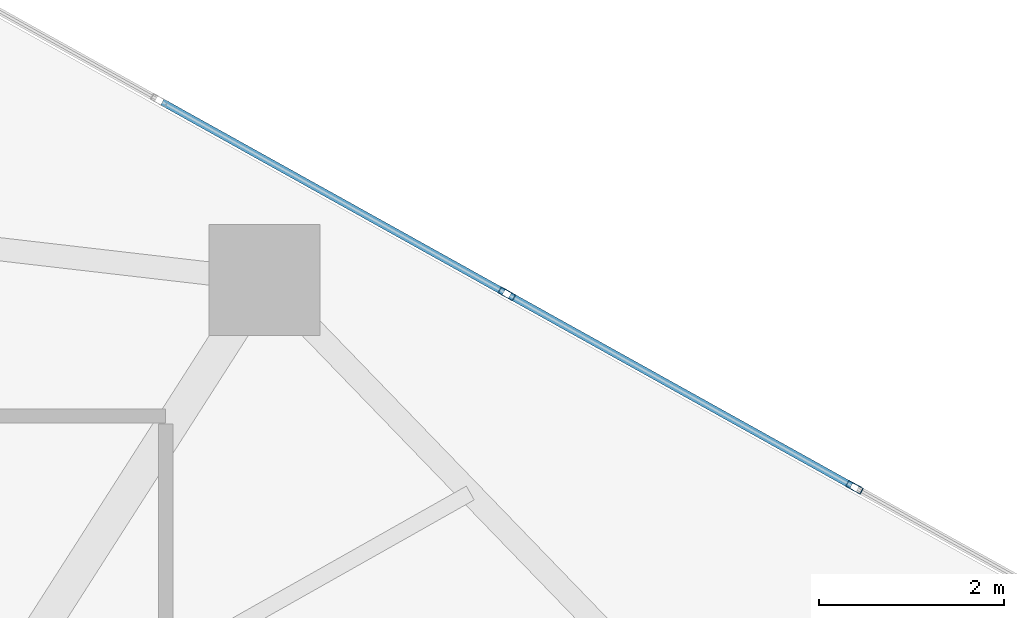
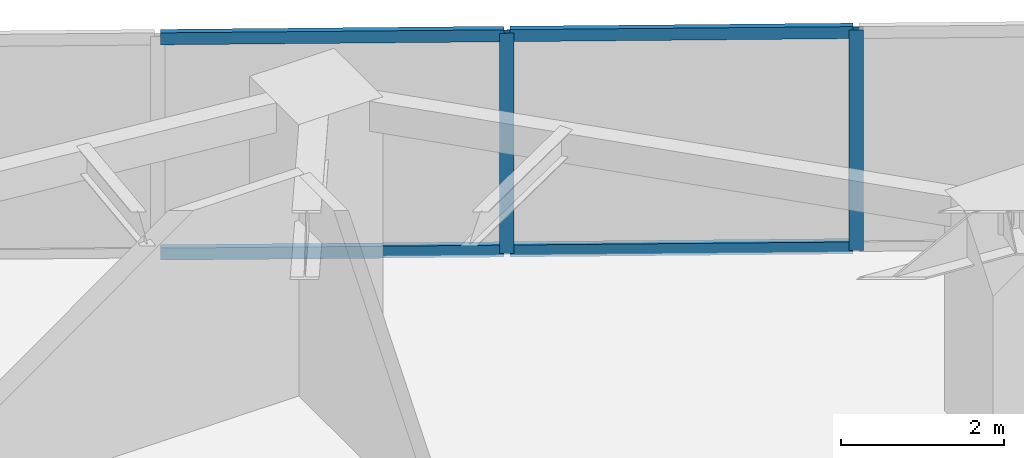
# One storey, part 14 of 21: 6 members, 1 element without a shape of its own.
"""IFC4 building model written with IfcOpenShell, lengths in metres."""

import ifcopenshell
import ifcopenshell.guid

model = None  # the IFC model being written
_history = None  # IfcOwnerHistory: only IFC2X3 demands one
_inside = {}  # id of a spatial element -> (the spatial element, [elements in it])
_under = {}  # id of a project, library or spatial element -> (it, [spatial elements below it])
_declared = {}  # id of a project -> (the project, [libraries it declares])
_typed = {}  # id of a type object -> (the type object, [elements of that type])
_made_of = {}  # id of a material, layer set ... -> (it, [elements and type objects made of it])


def new_model(schema):
    """Start an empty IFC model of exactly this schema.

    Asked for "IFC4X3", IfcOpenShell would pick the latest addendum, in which some entities
    have other attributes; the version numbers below select the first issue.
    IFC2X3 requires an IfcOwnerHistory on every rooted entity: one is made here for all.
    """
    global model, _history
    if schema == "IFC4X3":
        model = ifcopenshell.file(schema_version=(4, 3, 0, 0))
    else:
        model = ifcopenshell.file(schema=schema)
    _inside.clear()
    _under.clear()
    _declared.clear()
    _typed.clear()
    _made_of.clear()
    _history = None
    if model.schema == "IFC2X3":
        org = make("IfcOrganization", Name="unknown")
        user = make(
            "IfcPersonAndOrganization",
            ThePerson=make("IfcPerson", FamilyName="unknown"),
            TheOrganization=org,
        )
        app = make(
            "IfcApplication",
            ApplicationDeveloper=org,
            Version="unknown",
            ApplicationFullName="unknown",
            ApplicationIdentifier="unknown",
        )
        _history = make(
            "IfcOwnerHistory",
            OwningUser=user,
            OwningApplication=app,
            ChangeAction="ADDED",
            CreationDate=0,
        )
    return model


def make(cls, **values):
    """One entity of the class cls with the attributes given. An attribute that is None is left unset."""
    return model.create_entity(
        cls, **{name: value for name, value in values.items() if value is not None}
    )


def rooted(cls, **values):
    """An entity with a GlobalId (a new one), such as an element, a storey or a relation."""
    return make(cls, GlobalId=ifcopenshell.guid.new(), OwnerHistory=_history, **values)


def si_unit(unit_type, name, prefix=None):
    """IfcSIUnit, for example si_unit("LENGTHUNIT", "METRE", prefix="MILLI")."""
    return make("IfcSIUnit", UnitType=unit_type, Prefix=prefix, Name=name)


def assignment(units):
    """IfcUnitAssignment: the units of a project."""
    return None if units is None else make("IfcUnitAssignment", Units=units)


def point(xyz):
    """IfcCartesianPoint."""
    return None if xyz is None else make("IfcCartesianPoint", Coordinates=xyz)


def direction(xyz):
    """IfcDirection."""
    return None if xyz is None else make("IfcDirection", DirectionRatios=xyz)


def frame(location, z_axis=None, x_axis=None):
    """IfcAxis2Placement3D, a coordinate frame: its origin and axes. An axis left out is left unset."""
    return make(
        "IfcAxis2Placement3D",
        Location=point(location),
        Axis=direction(z_axis),
        RefDirection=direction(x_axis),
    )


def frame_2d(location, x_axis=None):
    """IfcAxis2Placement2D, a coordinate frame in the plane: its origin and x axis."""
    return make(
        "IfcAxis2Placement2D", Location=point(location), RefDirection=direction(x_axis)
    )


def origin():
    """The frame at (0, 0, 0) with its axes left unset."""
    return frame((0.0, 0.0, 0.0))


def origin_2d():
    """The frame at (0, 0) in the plane with its x axis left unset."""
    return frame_2d((0.0, 0.0))


def place(relative_to, where):
    """IfcLocalPlacement: puts the frame where relative to a parent placement (None: the world)."""
    return make(
        "IfcLocalPlacement", PlacementRelTo=relative_to, RelativePlacement=where
    )


def context(
    kind, dimensions, precision=None, world=None, true_north=None, identifier=None
):
    """IfcGeometricRepresentationContext, for example the 3D "Model" context."""
    return make(
        "IfcGeometricRepresentationContext",
        ContextIdentifier=identifier,
        ContextType=kind,
        CoordinateSpaceDimension=dimensions,
        Precision=precision,
        WorldCoordinateSystem=world,
        TrueNorth=true_north,
    )


def subcontext(parent, identifier, kind, view, scale=None):
    """IfcGeometricRepresentationSubContext, for example "Body" below "Model"."""
    return make(
        "IfcGeometricRepresentationSubContext",
        ContextIdentifier=identifier,
        ContextType=kind,
        ParentContext=parent,
        TargetScale=scale,
        TargetView=view,
    )


def project(units=None, contexts=None):
    """IfcProject with its units and contexts."""
    return rooted(
        "IfcProject",
        Name="project",
        RepresentationContexts=contexts,
        UnitsInContext=assignment(units),
    )


def spatial(cls, under=None, at=None, **own):
    """A site, building, storey or space (cls), placed at a placement, below another one or the project."""
    s = rooted(cls, ObjectPlacement=at, **own)
    if under is not None:
        _under.setdefault(under.id(), (under, []))[1].append(s)
    return s


def profile(cls, at=None, kind="AREA", **sizes):
    """A parametric profile (cls). Its sizes go by their IFC names, for example OverallWidth=200.0."""
    return make(cls, ProfileType=kind, Position=at, **sizes)


def hollow_rectangle(**sizes):
    """IfcRectangleHollowProfileDef."""
    return profile("IfcRectangleHollowProfileDef", **sizes)


def extrude(swept, where, along, depth):
    """IfcExtrudedAreaSolid: the profile swept, set in the frame where, extruded along a direction by depth."""
    return make(
        "IfcExtrudedAreaSolid",
        SweptArea=swept,
        Position=where,
        ExtrudedDirection=direction(along),
        Depth=depth,
    )


def shape(context_of_items, identifier, shape_type, items):
    """IfcShapeRepresentation: the items that make up one representation, for example the "Body"."""
    return make(
        "IfcShapeRepresentation",
        ContextOfItems=context_of_items,
        RepresentationIdentifier=identifier,
        RepresentationType=shape_type,
        Items=items,
    )


def source(mapping_origin, context_of_items, identifier, shape_type, items):
    """IfcRepresentationMap: a shape defined once, which mapped items show again and again."""
    return make(
        "IfcRepresentationMap",
        MappingOrigin=mapping_origin,
        MappedRepresentation=shape(context_of_items, identifier, shape_type, items),
    )


def transform(
    local_origin,
    x_axis=None,
    y_axis=None,
    z_axis=None,
    scale=None,
    scale2=None,
    scale3=None,
    uniform=True,
):
    """IfcCartesianTransformationOperator3D, or its non-uniform kind. x_axis, y_axis, z_axis: its Axis1, 2, 3."""
    if uniform:
        return make(
            "IfcCartesianTransformationOperator3D",
            Axis1=direction(x_axis),
            Axis2=direction(y_axis),
            LocalOrigin=point(local_origin),
            Scale=scale,
            Axis3=direction(z_axis),
        )
    return make(
        "IfcCartesianTransformationOperator3DnonUniform",
        Axis1=direction(x_axis),
        Axis2=direction(y_axis),
        LocalOrigin=point(local_origin),
        Scale=scale,
        Axis3=direction(z_axis),
        Scale2=scale2,
        Scale3=scale3,
    )


def mapped(mapping_source, mapping_target):
    """IfcMappedItem: shows the shape of a source again, moved by a transform."""
    return make(
        "IfcMappedItem", MappingSource=mapping_source, MappingTarget=mapping_target
    )


def material(Name=None, Category=None):
    """IfcMaterial."""
    return make("IfcMaterial", Name=Name, Category=Category)


def layer(
    of_material, thickness, ventilated=None, Name=None, Category=None, Priority=None
):
    """IfcMaterialLayer: one layer of a wall or slab, of a material (None: an air gap)."""
    return make(
        "IfcMaterialLayer",
        Material=of_material,
        LayerThickness=thickness,
        IsVentilated=ventilated,
        Name=Name,
        Category=Category,
        Priority=Priority,
    )


def layer_set(layers, Name=None):
    """IfcMaterialLayerSet."""
    return make("IfcMaterialLayerSet", MaterialLayers=layers, LayerSetName=Name)


def material_profile(
    of_material, cross_section, Name=None, Category=None, Priority=None
):
    """IfcMaterialProfile: a cross section and its material."""
    return make(
        "IfcMaterialProfile",
        Name=Name,
        Material=of_material,
        Profile=cross_section,
        Priority=Priority,
        Category=Category,
    )


def profile_set(profiles, Name=None, composite=None):
    """IfcMaterialProfileSet."""
    return make(
        "IfcMaterialProfileSet",
        Name=Name,
        MaterialProfiles=profiles,
        CompositeProfile=composite,
    )


def made_of(thing, what):
    """Note that an element or type object is made of a material, layer set ...; save() writes the relation."""
    if what is not None:
        _made_of.setdefault(what.id(), (what, []))[1].append(thing)
    return thing


def type_object(cls, material=None, **own):
    """A type object (cls), such as IfcWallType, which elements share."""
    return made_of(rooted(cls, **own), material)


def type_shapes(of_type, sources):
    """Give a type object the sources (RepresentationMaps) that its elements show as mapped items."""
    of_type.RepresentationMaps = sources


def element(
    cls,
    number,
    at=None,
    inside=None,
    cuts=None,
    type_object=None,
    material=None,
    context=None,
    identifier="Body",
    shape_type=None,
    held_by="IfcProductDefinitionShape",
    body=None,
    shapes=None,
    **own,
):
    """One element of the class cls, such as IfcWall. Its Tag is "e" and its number.

    at: its placement. inside: the storey or other place that contains it. cuts: it is an
    opening in that element (IfcRelVoidsElement). A single representation is given by context,
    identifier, shape_type and body (its items); several are given by shapes. held_by: the class
    of the entity that holds the representations. save() writes the other relations.
    """
    e = rooted(cls, Tag="e%d" % number, ObjectPlacement=at, **own)
    if body is not None:
        shapes = [shape(context, identifier, shape_type, body)]
    if shapes is not None:
        e.Representation = make(held_by, Representations=shapes)
    if inside is not None:
        _inside.setdefault(inside.id(), (inside, []))[1].append(e)
    if cuts is not None:
        rooted(
            "IfcRelVoidsElement", RelatingBuildingElement=cuts, RelatedOpeningElement=e
        )
    if type_object is not None:
        _typed.setdefault(type_object.id(), (type_object, []))[1].append(e)
    return made_of(e, material)


def aggregate(whole, parts):
    """IfcRelAggregates: a whole, such as a stair, and the parts it consists of."""
    return rooted("IfcRelAggregates", RelatingObject=whole, RelatedObjects=parts)


def save(model, path):
    """Write the relations noted so far, then the file.

    IfcRelAggregates (storeys below a building ...), IfcRelContainedInSpatialStructure (elements
    in a storey), IfcRelDefinesByType, IfcRelAssociatesMaterial and IfcRelDeclares: one each for
    every whole, place, type object, material and project.
    """
    for whole, parts in _under.values():
        aggregate(whole, parts)
    for where, things in _inside.values():
        rooted(
            "IfcRelContainedInSpatialStructure",
            RelatedElements=things,
            RelatingStructure=where,
        )
    for kind, things in _typed.values():
        rooted("IfcRelDefinesByType", RelatedObjects=things, RelatingType=kind)
    for what, things in _made_of.values():
        rooted("IfcRelAssociatesMaterial", RelatedObjects=things, RelatingMaterial=what)
    for by, libraries in _declared.values():
        rooted("IfcRelDeclares", RelatingContext=by, RelatedDefinitions=libraries)
    model.write(path)


model = new_model("IFC4")

# Units and contexts
model_context = context("Model", 3, precision=1e-05, world=origin(), true_north=direction((0.0, 1.0)))
body_context = subcontext(model_context, "Body", "Model", "MODEL_VIEW")
ifc_project = project(units=[si_unit("LENGTHUNIT", "METRE"), si_unit("AREAUNIT", "SQUARE_METRE"), si_unit("VOLUMEUNIT", "CUBIC_METRE"), si_unit("PLANEANGLEUNIT", "RADIAN"), si_unit("MASSUNIT", "GRAM", prefix="KILO")], contexts=[model_context])

# Site, building, storey
site_placement = place(None, origin())
site = spatial("IfcSite", under=ifc_project, at=site_placement, CompositionType="ELEMENT")
building_placement = place(site_placement, origin())
building = spatial("IfcBuilding", under=site, at=building_placement, Name="Talar Marvaseh", CompositionType="ELEMENT")
storey_placement = place(building_placement, frame((0.0, 0.0, 147.0)))
storey = spatial("IfcBuildingStorey", under=building, at=storey_placement, Name="L38", CompositionType="ELEMENT", Elevation=147.0)

# Curtain wall, members
ifc_material = material(Name="Architectural Aluminium", Category="aluminium")
ifc_layer = layer(ifc_material, 0.199951171875)
ifc_layer_set = layer_set([ifc_layer], Name="Architectural Aluminium")
curtain_wall_type = type_object("IfcCurtainWallType", Name="Unitised Acoustic Library Curtain Wall Z2", PredefinedType="NOTDEFINED", material=ifc_layer_set)
curtain_wall_placement = place(storey_placement, origin())
curtain_wall = element("IfcCurtainWall", 1, at=curtain_wall_placement, inside=storey, type_object=curtain_wall_type, Name="L38 Unitised Acoustic Library Curtain Wall Z2", PredefinedType="NOTDEFINED")
ifc_material_profile_1 = material_profile(ifc_material, hollow_rectangle(XDim=0.074951171875, YDim=0.179931640625, WallThickness=0.0048828125, at=origin_2d()), Name="RHS180x75x5")
ifc_profile_set_1 = profile_set([ifc_material_profile_1], Name="Architectural Aluminium")
member_type_1 = type_object("IfcMemberType", Name="Unitised Curtain Wall Standard Mullion RHS180x75x5", PredefinedType="MULLION", material=ifc_profile_set_1)
shared_shape_1 = source(origin(), body_context, "Body", "SweptSolid", [
    extrude(hollow_rectangle(XDim=0.074951171875, YDim=0.179931640625, WallThickness=0.0048828125, at=origin_2d()), origin(), (0.0, 0.0, 1.0), 3.31005859375),
])
type_shapes(member_type_1, [shared_shape_1])
member_1_placement = place(storey_placement, frame((39.4853515625, 42.320068359375, 0.0), z_axis=(0.0, 0.0, 1.0), x_axis=(0.486277930747, 0.873804196641, 0.0)))
member_1 = element("IfcMember", 2, at=member_1_placement, type_object=member_type_1, Name="CW-Z2 mullion 3", PredefinedType="MULLION", context=body_context, shape_type="MappedRepresentation", body=[
    mapped(shared_shape_1, transform((0.0, 0.0, 0.0), x_axis=(1.0, 0.0, 0.0), y_axis=(0.0, 1.0, 0.0), z_axis=(0.0, 0.0, 1.0), scale=1.0)),
])
member_2_placement = place(storey_placement, frame((43.24072265625, 40.230224609375, 0.0), z_axis=(0.0, 0.0, 1.0), x_axis=(0.486277930747, 0.873804196641, 0.0)))
member_2 = element("IfcMember", 3, at=member_2_placement, type_object=member_type_1, Name="CW-Z2 mullion 4", PredefinedType="MULLION", context=body_context, shape_type="MappedRepresentation", body=[
    mapped(shared_shape_1, transform((0.0, 0.0, 0.0), x_axis=(1.0, 0.0, 0.0), y_axis=(0.0, 1.0, 0.0), z_axis=(0.0, 0.0, 1.0), scale=1.0)),
])
ifc_material_profile_2 = material_profile(ifc_material, hollow_rectangle(XDim=0.074951171875, YDim=0.179931640625, WallThickness=0.0048828125, at=origin_2d()), Name="RHS180x75x5")
ifc_profile_set_2 = profile_set([ifc_material_profile_2], Name="Architectural Aluminium")
member_type_2 = type_object("IfcMemberType", Name="Unitised Curtain Wall Transom RHS180x75x5", PredefinedType="USERDEFINED", material=ifc_profile_set_2)
shared_shape_2 = source(origin(), body_context, "Body", "SweptSolid", [
    extrude(hollow_rectangle(XDim=0.074951171875, YDim=0.179931640625, WallThickness=0.0048828125, at=origin_2d()), origin(), (0.0, 0.0, 1.0), 4.222900390625),
])
type_shapes(member_type_2, [shared_shape_2])
member_3_placement = place(storey_placement, frame((35.762451171875, 44.391845703125, 0.03759765625), z_axis=(0.873805252239, -0.486276033914, 0.0), x_axis=(0.486276033914, 0.873805252239, 0.0)))
member_3 = element("IfcMember", 4, at=member_3_placement, type_object=member_type_2, Name="CW-Z2 transom 2.1", ObjectType="TRANSOM", PredefinedType="USERDEFINED", context=body_context, shape_type="MappedRepresentation", body=[
    mapped(shared_shape_2, transform((0.0, 0.0, 0.0), x_axis=(1.0, 0.0, 0.0), y_axis=(0.0, 1.0, 0.0), z_axis=(0.0, 0.0, 1.0), scale=1.0)),
])
member_4_placement = place(storey_placement, frame((35.762451171875, 44.391845703125, 3.2724609375), z_axis=(0.873805252239, -0.486276033914, 0.0), x_axis=(0.486276033914, 0.873805252239, 0.0)))
member_4 = element("IfcMember", 5, at=member_4_placement, type_object=member_type_2, Name="CW-Z2 transom 2.2", ObjectType="TRANSOM", PredefinedType="USERDEFINED", context=body_context, shape_type="MappedRepresentation", body=[
    mapped(shared_shape_2, transform((0.0, 0.0, 0.0), x_axis=(1.0, 0.0, 0.0), y_axis=(0.0, 1.0, 0.0), z_axis=(0.0, 0.0, 1.0), scale=1.0)),
])
member_5_placement = place(storey_placement, frame((39.51806640625, 42.302001953125, 0.03759765625), z_axis=(0.873780685911, -0.486320175326, 0.0), x_axis=(0.486320175326, 0.873780685911, 0.0)))
member_5 = element("IfcMember", 6, at=member_5_placement, type_object=member_type_2, Name="CW-Z2 transom 3.1", ObjectType="TRANSOM", PredefinedType="USERDEFINED", context=body_context, shape_type="MappedRepresentation", body=[
    mapped(shared_shape_2, transform((0.0, 0.0, 0.0), x_axis=(1.0, 0.0, 0.0), y_axis=(0.0, 1.0, 0.0), z_axis=(0.0, 0.0, 1.0), scale=1.0)),
])
member_6_placement = place(storey_placement, frame((39.51806640625, 42.302001953125, 3.2724609375), z_axis=(0.873780685911, -0.486320175326, 0.0), x_axis=(0.486320175326, 0.873780685911, 0.0)))
member_6 = element("IfcMember", 7, at=member_6_placement, type_object=member_type_2, Name="CW-Z2 transom 3.2", ObjectType="TRANSOM", PredefinedType="USERDEFINED", context=body_context, shape_type="MappedRepresentation", body=[
    mapped(shared_shape_2, transform((0.0, 0.0, 0.0), x_axis=(1.0, 0.0, 0.0), y_axis=(0.0, 1.0, 0.0), z_axis=(0.0, 0.0, 1.0), scale=1.0)),
])
aggregate(curtain_wall, [member_1, member_2, member_3, member_4, member_5, member_6])

save(model, "model.ifc")
